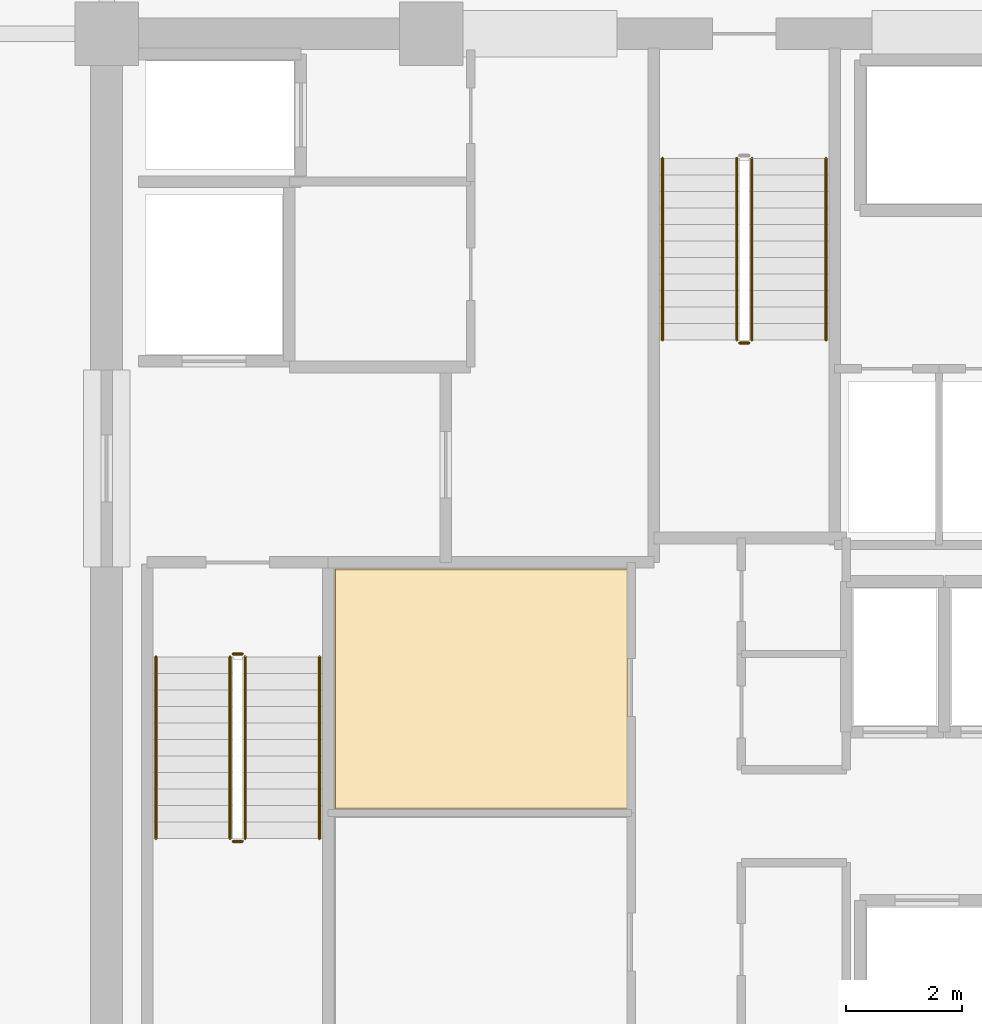
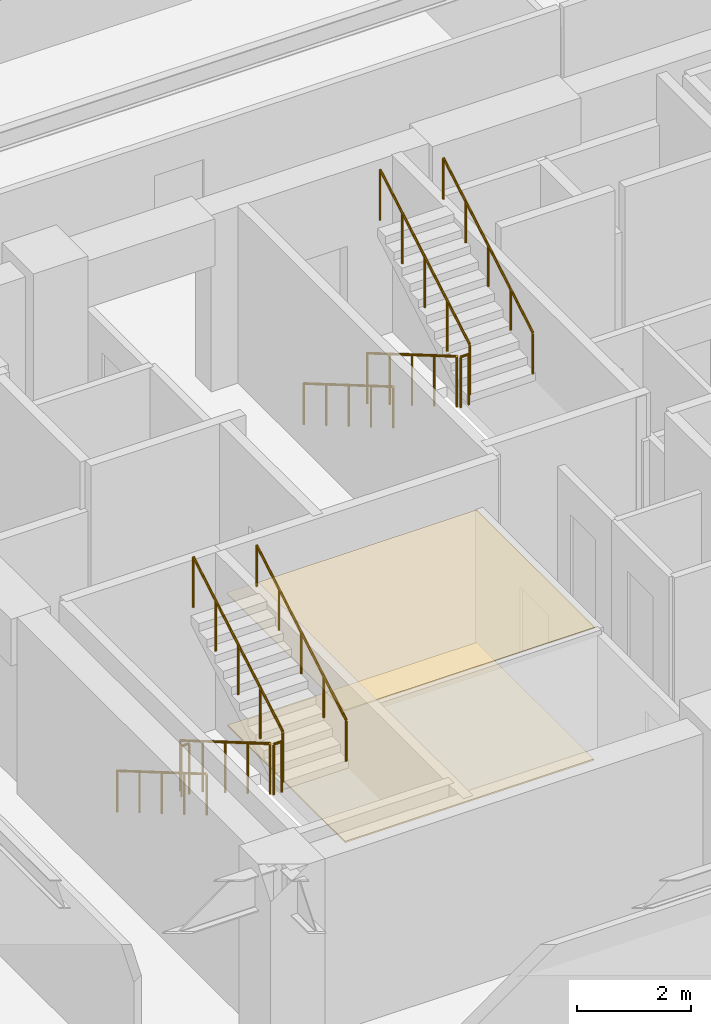
# One storey, part 20 of 24: 11 railings, 2 coverings.
"""IFC4 building model written with IfcOpenShell, lengths in metres."""

from ifc_helpers import new_model, si_unit, direction, frame, origin, origin_2d, place, context, subcontext, project, spatial, polyline, circle, outline, extrude, material, layer, layer_set, type_object, element, save


model = new_model("IFC4")

# Units and contexts
model_context = context("Model", 3, precision=1e-05, world=origin(), true_north=direction((0.0, 1.0)))
body_context = subcontext(model_context, "Body", "Model", "MODEL_VIEW")
ifc_project = project(units=[si_unit("LENGTHUNIT", "METRE"), si_unit("AREAUNIT", "SQUARE_METRE"), si_unit("VOLUMEUNIT", "CUBIC_METRE"), si_unit("PLANEANGLEUNIT", "RADIAN"), si_unit("MASSUNIT", "GRAM", prefix="KILO")], contexts=[model_context])

# Site, building, storey
site_placement = place(None, origin())
site = spatial("IfcSite", under=ifc_project, at=site_placement, CompositionType="ELEMENT")
building_placement = place(site_placement, origin())
building = spatial("IfcBuilding", under=site, at=building_placement, Name="Kovane Verandah Tower", CompositionType="ELEMENT")
storey_placement = place(building_placement, frame((0.0, 0.0, 144.39990234375)))
storey = spatial("IfcBuildingStorey", under=building, at=storey_placement, Name="L33", CompositionType="ELEMENT", Elevation=144.39990234375)

# Coverings
ifc_material_1 = material(Name="Perforated Acoustic Mineral-Fibre Ceiling Tile", Category="gypsum")
ifc_layer_1 = layer(ifc_material_1, 0.02490234375)
ifc_layer_set_1 = layer_set([ifc_layer_1], Name="Perforated Acoustic Mineral-Fibre Ceiling Tile")
covering_type_1 = type_object("IfcCoveringType", Name="CV-CEIL-25", PredefinedType="CEILING", material=ifc_layer_set_1)
covering_1_placement = place(storey_placement, frame((0.0, 0.0, 2.8251953125)))
element("IfcCovering", 1, at=covering_1_placement, inside=storey, type_object=covering_type_1, Name="L33 Telecom MDF Room Acoustic Ceiling", PredefinedType="CEILING", context=body_context, shape_type="SweptSolid", body=[
    extrude(outline(polyline([(32.93505859375, 23.125), (37.9951171875, 23.125), (37.9951171875, 27.264892578125), (32.93505859375, 27.264892578125), (32.93505859375, 23.125)])), origin(), (0.0, 0.0, 1.0), 0.02490234375),
])
ifc_material_2 = material(Name="Polished Terrazzo and Raised-Access Carpet Tile Finish", Category="concrete")
ifc_layer_2 = layer(ifc_material_2, 0.030029296875)
ifc_layer_set_2 = layer_set([ifc_layer_2], Name="Polished Terrazzo and Raised-Access Carpet Tile Finish")
covering_type_2 = type_object("IfcCoveringType", Name="CV-FLOR-30", PredefinedType="FLOORING", material=ifc_layer_set_2)
covering_2_placement = place(storey_placement, origin())
element("IfcCovering", 2, at=covering_2_placement, inside=storey, type_object=covering_type_2, Name="L33 Telecom MDF Room Floor Finish", PredefinedType="FLOORING", context=body_context, shape_type="SweptSolid", body=[
    extrude(outline(polyline([(32.949951171875, 23.139892578125), (37.97998046875, 23.139892578125), (37.97998046875, 27.25), (32.949951171875, 27.25), (32.949951171875, 23.139892578125)])), origin(), (0.0, 0.0, 1.0), 0.030029296875),
])

# Railings
ifc_material_3 = material(Name="Brushed Stainless Steel Handrail", Category="steel")
railing_type_1 = type_object("IfcRailingType", Name="RL-HAND-920", PredefinedType="HANDRAIL", material=ifc_material_3)
railing_1_placement = place(storey_placement, frame((29.85009765625, 25.75, 0.166748046875)))
element("IfcRailing", 3, at=railing_1_placement, inside=storey, type_object=railing_type_1, Name="L33 ST-01 stair handrail 1", PredefinedType="HANDRAIL", context=body_context, shape_type="SweptSolid", body=[
    extrude(circle(Radius=0.02392578125, at=origin_2d()), frame((0.0, 0.0, 0.8759765625), z_axis=(0.0, -0.863239559939, 0.504794475164), x_axis=(1.0, 0.0, 0.0)), (0.0, 0.0, 1.0), 3.631591796875),
    extrude(circle(Radius=0.02099609375, at=origin_2d()), origin(), (0.0, 0.0, 1.0), 0.851806640625),
    extrude(circle(Radius=0.02099609375, at=origin_2d()), frame((0.0, -0.78369140625, 0.458251953125)), (0.0, 0.0, 1.0), 0.851806640625),
    extrude(circle(Radius=0.02099609375, at=origin_2d()), frame((0.0, -1.5673828125, 0.91650390625)), (0.0, 0.0, 1.0), 0.851806640625),
    extrude(circle(Radius=0.02099609375, at=origin_2d()), frame((0.0, -2.351318359375, 1.375)), (0.0, 0.0, 1.0), 0.851806640625),
    extrude(circle(Radius=0.02099609375, at=origin_2d()), frame((0.0, -3.135009765625, 1.833251953125)), (0.0, 0.0, 1.0), 0.851806640625),
])
railing_2_placement = place(storey_placement, frame((32.669921875, 22.614990234375, 2.166748046875)))
element("IfcRailing", 4, at=railing_2_placement, inside=storey, type_object=railing_type_1, Name="L33 ST-01 stair handrail 2", PredefinedType="HANDRAIL", context=body_context, shape_type="SweptSolid", body=[
    extrude(circle(Radius=0.02392578125, at=origin_2d()), frame((0.0, 0.0, 0.8759765625), z_axis=(0.0, 0.863239559939, 0.504794475164), x_axis=(-1.0, 0.0, 0.0)), (0.0, 0.0, 1.0), 3.631591796875),
    extrude(circle(Radius=0.02099609375, at=origin_2d()), origin(), (0.0, 0.0, 1.0), 0.851806640625),
    extrude(circle(Radius=0.02099609375, at=origin_2d()), frame((0.0, 0.78369140625, 0.458251953125)), (0.0, 0.0, 1.0), 0.851806640625),
    extrude(circle(Radius=0.02099609375, at=origin_2d()), frame((0.0, 1.5673828125, 0.91650390625)), (0.0, 0.0, 1.0), 0.851806640625),
    extrude(circle(Radius=0.02099609375, at=origin_2d()), frame((0.0, 2.351318359375, 1.375)), (0.0, 0.0, 1.0), 0.851806640625),
    extrude(circle(Radius=0.02099609375, at=origin_2d()), frame((0.0, 3.135009765625, 1.833251953125)), (0.0, 0.0, 1.0), 0.851806640625),
])
railing_3_placement = place(storey_placement, frame((38.590087890625, 34.35009765625, 0.166748046875)))
element("IfcRailing", 5, at=railing_3_placement, inside=storey, type_object=railing_type_1, Name="L33 ST-03 stair handrail 1", PredefinedType="HANDRAIL", context=body_context, shape_type="SweptSolid", body=[
    extrude(circle(Radius=0.02392578125, at=origin_2d()), frame((0.0, 0.0, 0.8759765625), z_axis=(0.0, -0.863239559939, 0.504794475164), x_axis=(1.0, 0.0, 0.0)), (0.0, 0.0, 1.0), 3.631591796875),
    extrude(circle(Radius=0.02099609375, at=origin_2d()), origin(), (0.0, 0.0, 1.0), 0.851806640625),
    extrude(circle(Radius=0.02099609375, at=origin_2d()), frame((0.0, -0.78369140625, 0.458251953125)), (0.0, 0.0, 1.0), 0.851806640625),
    extrude(circle(Radius=0.02099609375, at=origin_2d()), frame((0.0, -1.5673828125, 0.91650390625)), (0.0, 0.0, 1.0), 0.851806640625),
    extrude(circle(Radius=0.02099609375, at=origin_2d()), frame((0.0, -2.351318359375, 1.375)), (0.0, 0.0, 1.0), 0.851806640625),
    extrude(circle(Radius=0.02099609375, at=origin_2d()), frame((0.0, -3.135009765625, 1.833251953125)), (0.0, 0.0, 1.0), 0.851806640625),
])
railing_4_placement = place(storey_placement, frame((41.409912109375, 31.215087890625, 2.166748046875)))
element("IfcRailing", 6, at=railing_4_placement, inside=storey, type_object=railing_type_1, Name="L33 ST-03 stair handrail 2", PredefinedType="HANDRAIL", context=body_context, shape_type="SweptSolid", body=[
    extrude(circle(Radius=0.02392578125, at=origin_2d()), frame((0.0, 0.0, 0.8759765625), z_axis=(0.0, 0.863239559939, 0.504794475164), x_axis=(-1.0, 0.0, 0.0)), (0.0, 0.0, 1.0), 3.631591796875),
    extrude(circle(Radius=0.02099609375, at=origin_2d()), origin(), (0.0, 0.0, 1.0), 0.851806640625),
    extrude(circle(Radius=0.02099609375, at=origin_2d()), frame((0.0, 0.78369140625, 0.458251953125)), (0.0, 0.0, 1.0), 0.851806640625),
    extrude(circle(Radius=0.02099609375, at=origin_2d()), frame((0.0, 1.5673828125, 0.91650390625)), (0.0, 0.0, 1.0), 0.851806640625),
    extrude(circle(Radius=0.02099609375, at=origin_2d()), frame((0.0, 2.351318359375, 1.375)), (0.0, 0.0, 1.0), 0.851806640625),
    extrude(circle(Radius=0.02099609375, at=origin_2d()), frame((0.0, 3.135009765625, 1.833251953125)), (0.0, 0.0, 1.0), 0.851806640625),
])
ifc_material_4 = material(Name="Painted Steel Stairwell Guardrail", Category="steel")
railing_type_2 = type_object("IfcRailingType", Name="RL-STGUARD-1120", PredefinedType="GUARDRAIL", material=ifc_material_4)
railing_5_placement = place(storey_placement, frame((31.1298828125, 25.75, 0.166748046875)))
element("IfcRailing", 7, at=railing_5_placement, inside=storey, type_object=railing_type_2, Name="L33 ST-01 stair guard 1", PredefinedType="GUARDRAIL", context=body_context, shape_type="SweptSolid", body=[
    extrude(circle(Radius=0.02392578125, at=origin_2d()), frame((0.0, 0.0, 1.076171875), z_axis=(0.0, -0.863239559939, 0.504794475164), x_axis=(1.0, 0.0, 0.0)), (0.0, 0.0, 1.0), 3.631591796875),
    extrude(circle(Radius=0.02099609375, at=origin_2d()), origin(), (0.0, 0.0, 1.0), 1.052001953125),
    extrude(circle(Radius=0.02099609375, at=origin_2d()), frame((0.0, -0.78369140625, 0.458251953125)), (0.0, 0.0, 1.0), 1.052001953125),
    extrude(circle(Radius=0.02099609375, at=origin_2d()), frame((0.0, -1.5673828125, 0.91650390625)), (0.0, 0.0, 1.0), 1.052001953125),
    extrude(circle(Radius=0.02099609375, at=origin_2d()), frame((0.0, -2.351318359375, 1.375)), (0.0, 0.0, 1.0), 1.052001953125),
    extrude(circle(Radius=0.02099609375, at=origin_2d()), frame((0.0, -3.135009765625, 1.833251953125)), (0.0, 0.0, 1.0), 1.052001953125),
])
railing_6_placement = place(storey_placement, frame((31.179931640625, 22.56494140625, 2.0)))
element("IfcRailing", 8, at=railing_6_placement, inside=storey, type_object=railing_type_2, Name="L33 ST-01 stair guard 2", PredefinedType="GUARDRAIL", context=body_context, shape_type="SweptSolid", body=[
    extrude(circle(Radius=0.02392578125, at=origin_2d()), frame((0.0, 0.0, 1.076171875), z_axis=(1.0, 0.0, 0.0), x_axis=(0.0, 1.0, 0.0)), (0.0, 0.0, 1.0), 0.16015625),
    extrude(circle(Radius=0.02099609375, at=origin_2d()), origin(), (0.0, 0.0, 1.0), 1.052001953125),
    extrude(circle(Radius=0.02099609375, at=origin_2d()), frame((0.16015625, 0.0, 0.0)), (0.0, 0.0, 1.0), 1.052001953125),
])
railing_7_placement = place(storey_placement, frame((31.389892578125, 22.614990234375, 2.166748046875)))
element("IfcRailing", 9, at=railing_7_placement, inside=storey, type_object=railing_type_2, Name="L33 ST-01 stair guard 3", PredefinedType="GUARDRAIL", context=body_context, shape_type="SweptSolid", body=[
    extrude(circle(Radius=0.02392578125, at=origin_2d()), frame((0.0, 0.0, 1.076171875), z_axis=(0.0, 0.863239559939, 0.504794475164), x_axis=(-1.0, 0.0, 0.0)), (0.0, 0.0, 1.0), 3.631591796875),
    extrude(circle(Radius=0.02099609375, at=origin_2d()), origin(), (0.0, 0.0, 1.0), 1.052001953125),
    extrude(circle(Radius=0.02099609375, at=origin_2d()), frame((0.0, 0.78369140625, 0.458251953125)), (0.0, 0.0, 1.0), 1.052001953125),
    extrude(circle(Radius=0.02099609375, at=origin_2d()), frame((0.0, 1.5673828125, 0.91650390625)), (0.0, 0.0, 1.0), 1.052001953125),
    extrude(circle(Radius=0.02099609375, at=origin_2d()), frame((0.0, 2.351318359375, 1.375)), (0.0, 0.0, 1.0), 1.052001953125),
    extrude(circle(Radius=0.02099609375, at=origin_2d()), frame((0.0, 3.135009765625, 1.833251953125)), (0.0, 0.0, 1.0), 1.052001953125),
])
railing_8_placement = place(storey_placement, frame((31.179931640625, 25.800048828125, 0.0)))
element("IfcRailing", 10, at=railing_8_placement, inside=storey, type_object=railing_type_2, Name="L33 ST-01 stair guard 4", PredefinedType="GUARDRAIL", context=body_context, shape_type="SweptSolid", body=[
    extrude(circle(Radius=0.02392578125, at=origin_2d()), frame((0.0, 0.0, 1.076171875), z_axis=(1.0, 0.0, 0.0), x_axis=(0.0, 1.0, 0.0)), (0.0, 0.0, 1.0), 0.16015625),
    extrude(circle(Radius=0.02099609375, at=origin_2d()), origin(), (0.0, 0.0, 1.0), 1.052001953125),
    extrude(circle(Radius=0.02099609375, at=origin_2d()), frame((0.16015625, 0.0, 0.0)), (0.0, 0.0, 1.0), 1.052001953125),
])
railing_9_placement = place(storey_placement, frame((39.8701171875, 34.35009765625, 0.166748046875)))
element("IfcRailing", 11, at=railing_9_placement, inside=storey, type_object=railing_type_2, Name="L33 ST-03 stair guard 1", PredefinedType="GUARDRAIL", context=body_context, shape_type="SweptSolid", body=[
    extrude(circle(Radius=0.02392578125, at=origin_2d()), frame((0.0, 0.0, 1.076171875), z_axis=(0.0, -0.863239559939, 0.504794475164), x_axis=(1.0, 0.0, 0.0)), (0.0, 0.0, 1.0), 3.631591796875),
    extrude(circle(Radius=0.02099609375, at=origin_2d()), origin(), (0.0, 0.0, 1.0), 1.052001953125),
    extrude(circle(Radius=0.02099609375, at=origin_2d()), frame((0.0, -0.78369140625, 0.458251953125)), (0.0, 0.0, 1.0), 1.052001953125),
    extrude(circle(Radius=0.02099609375, at=origin_2d()), frame((0.0, -1.5673828125, 0.91650390625)), (0.0, 0.0, 1.0), 1.052001953125),
    extrude(circle(Radius=0.02099609375, at=origin_2d()), frame((0.0, -2.351318359375, 1.375)), (0.0, 0.0, 1.0), 1.052001953125),
    extrude(circle(Radius=0.02099609375, at=origin_2d()), frame((0.0, -3.135009765625, 1.833251953125)), (0.0, 0.0, 1.0), 1.052001953125),
])
railing_10_placement = place(storey_placement, frame((39.919921875, 31.1650390625, 2.0)))
element("IfcRailing", 12, at=railing_10_placement, inside=storey, type_object=railing_type_2, Name="L33 ST-03 stair guard 2", PredefinedType="GUARDRAIL", context=body_context, shape_type="SweptSolid", body=[
    extrude(circle(Radius=0.02392578125, at=origin_2d()), frame((0.0, 0.0, 1.076171875), z_axis=(1.0, 0.0, 0.0), x_axis=(0.0, 1.0, 0.0)), (0.0, 0.0, 1.0), 0.16015625),
    extrude(circle(Radius=0.02099609375, at=origin_2d()), origin(), (0.0, 0.0, 1.0), 1.052001953125),
    extrude(circle(Radius=0.02099609375, at=origin_2d()), frame((0.16015625, 0.0, 0.0)), (0.0, 0.0, 1.0), 1.052001953125),
])
railing_11_placement = place(storey_placement, frame((40.1298828125, 31.215087890625, 2.166748046875)))
element("IfcRailing", 13, at=railing_11_placement, inside=storey, type_object=railing_type_2, Name="L33 ST-03 stair guard 3", PredefinedType="GUARDRAIL", context=body_context, shape_type="SweptSolid", body=[
    extrude(circle(Radius=0.02392578125, at=origin_2d()), frame((0.0, 0.0, 1.076171875), z_axis=(0.0, 0.863239559939, 0.504794475164), x_axis=(-1.0, 0.0, 0.0)), (0.0, 0.0, 1.0), 3.631591796875),
    extrude(circle(Radius=0.02099609375, at=origin_2d()), origin(), (0.0, 0.0, 1.0), 1.052001953125),
    extrude(circle(Radius=0.02099609375, at=origin_2d()), frame((0.0, 0.78369140625, 0.458251953125)), (0.0, 0.0, 1.0), 1.052001953125),
    extrude(circle(Radius=0.02099609375, at=origin_2d()), frame((0.0, 1.5673828125, 0.91650390625)), (0.0, 0.0, 1.0), 1.052001953125),
    extrude(circle(Radius=0.02099609375, at=origin_2d()), frame((0.0, 2.351318359375, 1.375)), (0.0, 0.0, 1.0), 1.052001953125),
    extrude(circle(Radius=0.02099609375, at=origin_2d()), frame((0.0, 3.135009765625, 1.833251953125)), (0.0, 0.0, 1.0), 1.052001953125),
])

save(model, "model.ifc")
